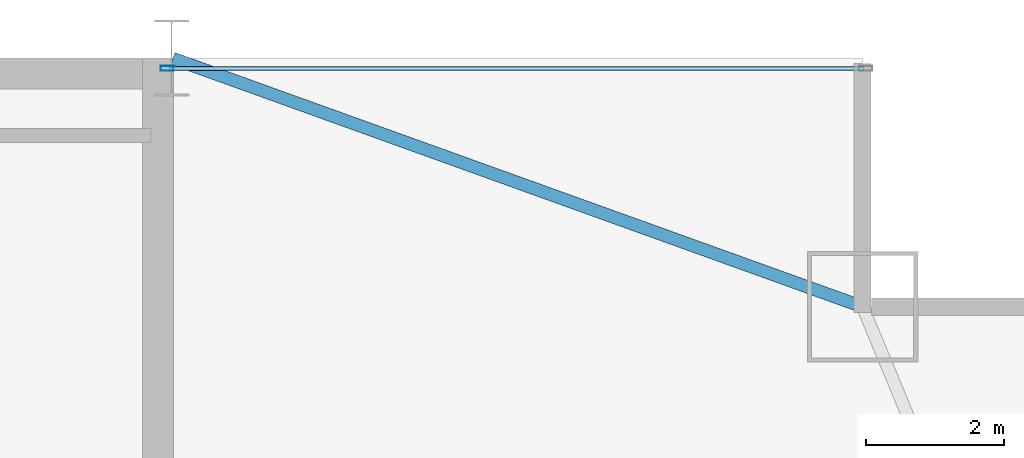
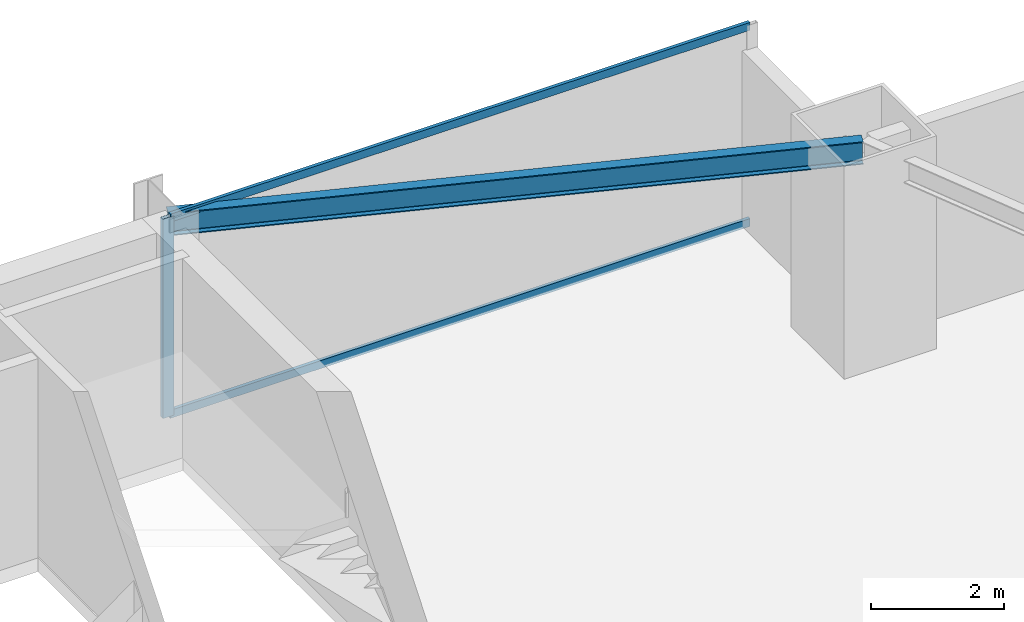
# One storey, part 22 of 31: 3 members, 1 beam, 1 element without a shape of its own.
"""IFC4 building model written with IfcOpenShell, lengths in metres."""

from ifc_helpers import new_model, si_unit, direction, frame, origin, origin_2d, place, context, subcontext, project, spatial, hollow_rectangle, i_section, extrude, source, transform, mapped, material, layer, layer_set, material_profile, profile_set, type_object, type_shapes, element, aggregate, save


model = new_model("IFC4")

# Units and contexts
model_context = context("Model", 3, precision=1e-05, world=origin(), true_north=direction((0.0, 1.0)))
body_context = subcontext(model_context, "Body", "Model", "MODEL_VIEW")
ifc_project = project(units=[si_unit("LENGTHUNIT", "METRE"), si_unit("AREAUNIT", "SQUARE_METRE"), si_unit("VOLUMEUNIT", "CUBIC_METRE"), si_unit("PLANEANGLEUNIT", "RADIAN"), si_unit("MASSUNIT", "GRAM", prefix="KILO")], contexts=[model_context])

# Site, building, storey
site_placement = place(None, origin())
site = spatial("IfcSite", under=ifc_project, at=site_placement, CompositionType="ELEMENT")
building_placement = place(site_placement, origin())
building = spatial("IfcBuilding", under=site, at=building_placement, Name="Varnel Quay Broadcast Tower", CompositionType="ELEMENT")
storey_placement = place(building_placement, frame((0.0, 0.0, 39.300048828125)))
storey = spatial("IfcBuildingStorey", under=building, at=storey_placement, Name="L08", CompositionType="ELEMENT", Elevation=39.300048828125)

# Beam
ifc_material_1 = material(Name="Structural Steel CSA G40.21 350W", Category="steel")
ifc_material_profile_1 = material_profile(ifc_material_1, i_section(OverallWidth=0.180908203125, OverallDepth=0.4169921875, WebThickness=0.010986328125, FlangeThickness=0.018310546875, FilletRadius=0.011962890625, at=origin_2d()), Name="W410X85")
ifc_profile_set_1 = profile_set([ifc_material_profile_1], Name="Structural Steel CSA G40.21 350W")
beam_type = type_object("IfcBeamType", Name="Beam_W410X85", PredefinedType="SPANDREL", material=ifc_profile_set_1)
shared_shape_1 = source(origin(), body_context, "Body", "SweptSolid", [
    extrude(i_section(OverallWidth=0.180908203125, OverallDepth=0.4169921875, WebThickness=0.010986328125, FlangeThickness=0.018310546875, FilletRadius=0.011962890625, at=origin_2d()), origin(), (0.0, 0.0, 1.0), 10.58837890625),
])
type_shapes(beam_type, [shared_shape_1])
beam_placement = place(storey_placement, frame((52.418701171875, 46.793212890625, 3.44140625), z_axis=(0.940888587605, -0.338716202321, 0.0), x_axis=(0.338716202321, 0.940888587605, 0.0)))
element("IfcBeam", 1, at=beam_placement, inside=storey, type_object=beam_type, Name="L08 NE Tie Spandrel", PredefinedType="SPANDREL", context=body_context, shape_type="MappedRepresentation", body=[
    mapped(shared_shape_1, transform((0.0, 0.0, 0.0), x_axis=(1.0, 0.0, 0.0), y_axis=(0.0, 1.0, 0.0), z_axis=(0.0, 0.0, 1.0), scale=1.0)),
])

# Curtain wall, members
ifc_material_2 = material(Name="Anodised Bronze Aluminium 6063-T6", Category="aluminium")
ifc_layer = layer(ifc_material_2, 0.18994140625, Name="Anodised Bronze Aluminium 6063-T6")
ifc_layer_set = layer_set([ifc_layer], Name="Anodised Bronze Aluminium 6063-T6")
curtain_wall_type = type_object("IfcCurtainWallType", Name="CW_LowerTower", PredefinedType="NOTDEFINED", material=ifc_layer_set)
curtain_wall_placement = place(storey_placement, origin())
curtain_wall = element("IfcCurtainWall", 2, at=curtain_wall_placement, inside=storey, type_object=curtain_wall_type, Name="L08 NE Wing Curtain Wall", PredefinedType="NOTDEFINED")
ifc_material_profile_2 = material_profile(ifc_material_2, hollow_rectangle(XDim=0.070068359375, YDim=0.18994140625, WallThickness=0.00390625, at=origin_2d()), Name="ALU70X190X4")
ifc_profile_set_2 = profile_set([ifc_material_profile_2], Name="Anodised Bronze Aluminium 6063-T6")
member_type_1 = type_object("IfcMemberType", Name="Mull_CWS-02", PredefinedType="MULLION", material=ifc_profile_set_2)
shared_shape_2 = source(origin(), body_context, "Body", "SweptSolid", [
    extrude(hollow_rectangle(XDim=0.070068359375, YDim=0.18994140625, WallThickness=0.00390625, at=origin_2d()), origin(), (0.0, 0.0, 1.0), 3.64990234375),
])
type_shapes(member_type_1, [shared_shape_2])
member_1_placement = place(storey_placement, frame((52.3349609375, 46.64990234375, 0.0), z_axis=(0.0, 0.0, 1.0), x_axis=(0.0, 1.0, 0.0)))
member_1 = element("IfcMember", 3, at=member_1_placement, type_object=member_type_1, Name="CWS-02 mullion 1", PredefinedType="MULLION", context=body_context, shape_type="MappedRepresentation", body=[
    mapped(shared_shape_2, transform((0.0, 0.0, 0.0), x_axis=(1.0, 0.0, 0.0), y_axis=(0.0, 1.0, 0.0), z_axis=(0.0, 0.0, 1.0), scale=1.0)),
])
ifc_material_profile_3 = material_profile(ifc_material_2, hollow_rectangle(XDim=0.06005859375, YDim=0.14501953125, WallThickness=0.00341796875, at=origin_2d()), Name="ALU60X145X3.5")
ifc_profile_set_3 = profile_set([ifc_material_profile_3], Name="Anodised Bronze Aluminium 6063-T6")
member_type_2 = type_object("IfcMemberType", Name="Tran_CWS-02", PredefinedType="USERDEFINED", material=ifc_profile_set_3)
shared_shape_3 = source(origin(), body_context, "Body", "SweptSolid", [
    extrude(hollow_rectangle(XDim=0.06005859375, YDim=0.14501953125, WallThickness=0.00341796875, at=origin_2d()), origin(), (0.0, 0.0, 1.0), 10.039794921875),
])
type_shapes(member_type_2, [shared_shape_3])
member_2_placement = place(storey_placement, frame((52.3701171875, 46.64990234375, 0.030029296875), z_axis=(1.0, 0.0, 0.0), x_axis=(0.0, 1.0, 0.0)))
member_2 = element("IfcMember", 4, at=member_2_placement, type_object=member_type_2, Name="CWS-02 transom 1.1", ObjectType="TRANSOM", PredefinedType="USERDEFINED", context=body_context, shape_type="MappedRepresentation", body=[
    mapped(shared_shape_3, transform((0.0, 0.0, 0.0), x_axis=(1.0, 0.0, 0.0), y_axis=(0.0, 1.0, 0.0), z_axis=(0.0, 0.0, 1.0), scale=1.0)),
])
member_3_placement = place(storey_placement, frame((52.3701171875, 46.64990234375, 3.619873046875), z_axis=(1.0, 0.0, 0.0), x_axis=(0.0, 1.0, 0.0)))
member_3 = element("IfcMember", 5, at=member_3_placement, type_object=member_type_2, Name="CWS-02 transom 1.2", ObjectType="TRANSOM", PredefinedType="USERDEFINED", context=body_context, shape_type="MappedRepresentation", body=[
    mapped(shared_shape_3, transform((0.0, 0.0, 0.0), x_axis=(1.0, 0.0, 0.0), y_axis=(0.0, 1.0, 0.0), z_axis=(0.0, 0.0, 1.0), scale=1.0)),
])
aggregate(curtain_wall, [member_1, member_2, member_3])

save(model, "model.ifc")
